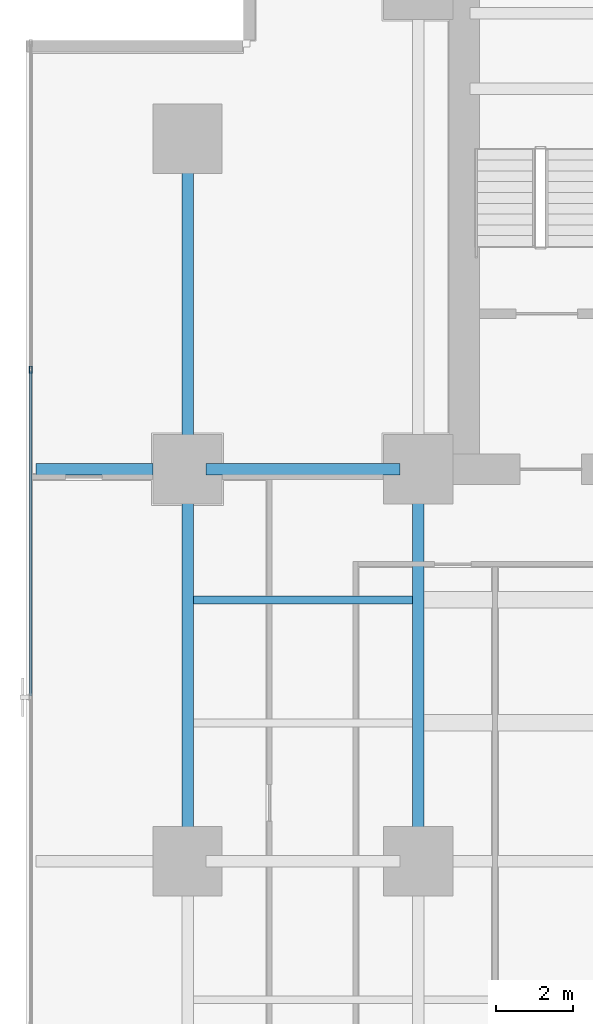
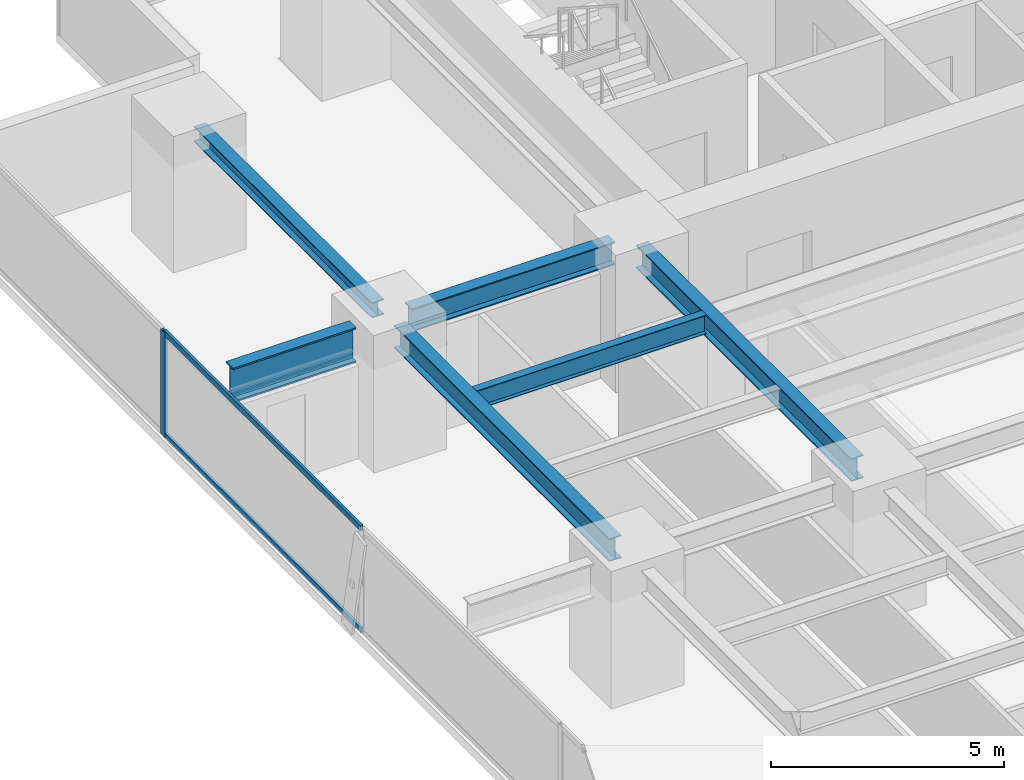
# One storey, part 16 of 34: 6 beams, 3 members, 1 element without a shape of its own.
"""IFC4 building model written with IfcOpenShell, lengths in metres."""

from ifc_helpers import new_model, si_unit, direction, frame, origin, origin_2d, place, context, subcontext, project, spatial, hollow_rectangle, i_section, extrude, source, transform, mapped, material, layer, layer_set, material_profile, profile_set, type_object, element, aggregate, save


model = new_model("IFC4")

# Units and contexts
model_context = context("Model", 3, precision=1e-05, world=origin(), true_north=direction((0.0, 1.0)))
body_context = subcontext(model_context, "Body", "Model", "MODEL_VIEW")
ifc_project = project(units=[si_unit("LENGTHUNIT", "METRE"), si_unit("AREAUNIT", "SQUARE_METRE"), si_unit("VOLUMEUNIT", "CUBIC_METRE"), si_unit("PLANEANGLEUNIT", "RADIAN"), si_unit("MASSUNIT", "GRAM", prefix="KILO")], contexts=[model_context])

# Site, building, storey
site_placement = place(None, origin())
site = spatial("IfcSite", under=ifc_project, at=site_placement, CompositionType="ELEMENT")
building_placement = place(site_placement, origin())
building = spatial("IfcBuilding", under=site, at=building_placement, Name="Sumidabori Civic Tower", CompositionType="ELEMENT")
storey_placement = place(building_placement, frame((0.0, 0.0, 41.60009765625)))
storey = spatial("IfcBuildingStorey", under=building, at=storey_placement, Name="L10", CompositionType="ELEMENT", Elevation=41.60009765625)

# Beams
ifc_material_1 = material(Name="Steel SN490", Category="steel")
ifc_material_profile_1 = material_profile(ifc_material_1, i_section(OverallWidth=0.300048828125, OverallDepth=0.60009765625, WebThickness=0.015380859375, FlangeThickness=0.030029296875, at=origin_2d()), Name="HE 600 B")
ifc_profile_set_1 = profile_set([ifc_material_profile_1], Name="Steel SN490")
beam_type_1 = type_object("IfcBeamType", Name="BM-GIRD-600", PredefinedType="BEAM", material=ifc_profile_set_1)
shared_shape_1 = source(origin(), body_context, "Body", "SweptSolid", [
    extrude(i_section(OverallWidth=0.300048828125, OverallDepth=0.60009765625, WebThickness=0.015380859375, FlangeThickness=0.030029296875, at=origin_2d()), origin(), (0.0, 0.0, 1.0), 5.0400390625),
])
beam_1_placement = place(storey_placement, frame((-22.320068359375, 10.199951171875, 3.059814453125), z_axis=(1.0, 0.0, 0.0), x_axis=(0.0, 1.0, 0.0)))
element("IfcBeam", 1, at=beam_1_placement, inside=storey, type_object=beam_type_1, Name="Primary Girder L10 GX-19", PredefinedType="BEAM", context=body_context, shape_type="MappedRepresentation", body=[
    mapped(shared_shape_1, transform((0.0, 0.0, 0.0), x_axis=(1.0, 0.0, 0.0), y_axis=(0.0, 1.0, 0.0), z_axis=(0.0, 0.0, 1.0), scale=1.0)),
])
shared_shape_2 = source(origin(), body_context, "Body", "SweptSolid", [
    extrude(i_section(OverallWidth=0.300048828125, OverallDepth=0.60009765625, WebThickness=0.015380859375, FlangeThickness=0.030029296875, at=origin_2d()), origin(), (0.0, 0.0, 1.0), 9.239990234375),
])
for number, where, z_axis, x_axis, name in (
    (2, (-22.800048828125, 0.47998046875, 3.059814453125), (0.0, 1.0, 0.0), (-1.0, 0.0, 0.0), "Primary Girder L10 GY-23"),
    (3, (-16.800048828125, 0.47998046875, 3.059814453125), (0.0, 1.0, 0.0), (-1.0, 0.0, 0.0), "Primary Girder L10 GY-27"),
):
    element("IfcBeam", number, at=place(storey_placement, frame(where, z_axis=z_axis, x_axis=x_axis)), inside=storey, type_object=beam_type_1, Name=name, PredefinedType="BEAM", context=body_context, shape_type="MappedRepresentation", body=[
        mapped(shared_shape_2, transform((0.0, 0.0, 0.0), x_axis=(1.0, 0.0, 0.0), y_axis=(0.0, 1.0, 0.0), z_axis=(0.0, 0.0, 1.0), scale=1.0)),
    ])
ifc_material_profile_2 = material_profile(ifc_material_1, i_section(OverallWidth=0.300048828125, OverallDepth=0.39990234375, WebThickness=0.013427734375, FlangeThickness=0.02392578125, at=origin_2d()), Name="HE 400 B")
ifc_profile_set_2 = profile_set([ifc_material_profile_2], Name="Steel SN490")
beam_type_2 = type_object("IfcBeamType", Name="BM-GIRD-400", PredefinedType="BEAM", material=ifc_profile_set_2)
shared_shape_3 = source(origin(), body_context, "Body", "SweptSolid", [
    extrude(i_section(OverallWidth=0.300048828125, OverallDepth=0.39990234375, WebThickness=0.013427734375, FlangeThickness=0.02392578125, at=origin_2d()), origin(), (0.0, 0.0, 1.0), 7.64013671875),
])
beam_2_placement = place(storey_placement, frame((-22.800048828125, 10.679931640625, 3.159912109375), z_axis=(0.0, 1.0, 0.0), x_axis=(-1.0, 0.0, 0.0)))
element("IfcBeam", 4, at=beam_2_placement, inside=storey, type_object=beam_type_2, Name="Primary Girder L10 GY-24", PredefinedType="BEAM", context=body_context, shape_type="MappedRepresentation", body=[
    mapped(shared_shape_3, transform((0.0, 0.0, 0.0), x_axis=(1.0, 0.0, 0.0), y_axis=(0.0, 1.0, 0.0), z_axis=(0.0, 0.0, 1.0), scale=1.0)),
])
ifc_material_profile_3 = material_profile(ifc_material_1, i_section(OverallWidth=0.302001953125, OverallDepth=0.909912109375, WebThickness=0.02099609375, FlangeThickness=0.0400390625, at=origin_2d()), Name="HE 900 M")
ifc_profile_set_3 = profile_set([ifc_material_profile_3], Name="Steel SN490")
beam_type_3 = type_object("IfcBeamType", Name="BM-Z1-EDGE", PredefinedType="SPANDREL", material=ifc_profile_set_3)
shared_shape_4 = source(origin(), body_context, "Body", "SweptSolid", [
    extrude(i_section(OverallWidth=0.302001953125, OverallDepth=0.909912109375, WebThickness=0.02099609375, FlangeThickness=0.0400390625, at=origin_2d()), origin(), (0.0, 0.0, 1.0), 3.050048828125),
])
beam_3_placement = place(storey_placement, frame((-26.75, 10.199951171875, 2.90478515625), z_axis=(1.0, 0.0, 0.0), x_axis=(0.0, 1.0, 0.0)))
element("IfcBeam", 5, at=beam_3_placement, inside=storey, type_object=beam_type_3, Name="Perimeter Overhang Beam L10 W-48", PredefinedType="SPANDREL", context=body_context, shape_type="MappedRepresentation", body=[
    mapped(shared_shape_4, transform((0.0, 0.0, 0.0), x_axis=(1.0, 0.0, 0.0), y_axis=(0.0, 1.0, 0.0), z_axis=(0.0, 0.0, 1.0), scale=1.0)),
])
ifc_material_profile_4 = material_profile(ifc_material_1, i_section(OverallWidth=0.199951171875, OverallDepth=0.5, WebThickness=0.01025390625, FlangeThickness=0.01611328125, at=origin_2d()), Name="IPE 500")
ifc_profile_set_4 = profile_set([ifc_material_profile_4], Name="Steel SN490")
beam_type_4 = type_object("IfcBeamType", Name="BM-JST-500", PredefinedType="JOIST", material=ifc_profile_set_4)
shared_shape_5 = source(origin(), body_context, "Body", "SweptSolid", [
    extrude(i_section(OverallWidth=0.199951171875, OverallDepth=0.5, WebThickness=0.01025390625, FlangeThickness=0.01611328125, at=origin_2d()), origin(), (0.0, 0.0, 1.0), 5.699951171875),
])
beam_4_placement = place(storey_placement, frame((-22.64990234375, 6.800048828125, 3.10986328125), z_axis=(1.0, 0.0, 0.0), x_axis=(0.0, 1.0, 0.0)))
element("IfcBeam", 6, at=beam_4_placement, inside=storey, type_object=beam_type_4, Name="Outer Bay Floor Joist L10 JSTO-55", PredefinedType="JOIST", context=body_context, shape_type="MappedRepresentation", body=[
    mapped(shared_shape_5, transform((0.0, 0.0, 0.0), x_axis=(1.0, 0.0, 0.0), y_axis=(0.0, 1.0, 0.0), z_axis=(0.0, 0.0, 1.0), scale=1.0)),
])

# Curtain wall, members
ifc_material_2 = material(Name="Anodised Bronze Aluminium AW-6063-T6", Category="aluminium")
ifc_layer = layer(ifc_material_2, 0.179931640625, Name="Anodised Bronze Aluminium AW-6063-T6")
ifc_layer_set = layer_set([ifc_layer], Name="Anodised Bronze Aluminium AW-6063-T6")
curtain_wall_type = type_object("IfcCurtainWallType", Name="CW-SYS-2", PredefinedType="NOTDEFINED", material=ifc_layer_set)
curtain_wall_placement = place(storey_placement, origin())
curtain_wall = element("IfcCurtainWall", 7, at=curtain_wall_placement, inside=storey, type_object=curtain_wall_type, Name="Curtain Wall CW:L10:R10", PredefinedType="NOTDEFINED")
ifc_material_profile_5 = material_profile(ifc_material_2, hollow_rectangle(XDim=0.070068359375, YDim=0.179931640625, WallThickness=0.006103515625, at=origin_2d()), Name="ALU MULLION 180x70")
ifc_profile_set_5 = profile_set([ifc_material_profile_5], Name="Anodised Bronze Aluminium AW-6063-T6")
member_type_1 = type_object("IfcMemberType", Name="CW-MUL-180", PredefinedType="MULLION", material=ifc_profile_set_5)
shared_shape_6 = source(origin(), body_context, "Body", "SweptSolid", [
    extrude(hollow_rectangle(XDim=0.070068359375, YDim=0.179931640625, WallThickness=0.006103515625, at=origin_2d()), origin(), (0.0, 0.0, 1.0), 2.739990234375),
])
member_1_placement = place(storey_placement, frame((-26.8798828125, 12.7919921875, 0.0), z_axis=(0.0, 0.0, 1.0), x_axis=(1.0, 0.0, 0.0)))
member_1 = element("IfcMember", 8, at=member_1_placement, type_object=member_type_1, Name="CW-2 mullion 2", PredefinedType="MULLION", context=body_context, shape_type="MappedRepresentation", body=[
    mapped(shared_shape_6, transform((0.0, 0.0, 0.0), x_axis=(1.0, 0.0, 0.0), y_axis=(0.0, 1.0, 0.0), z_axis=(0.0, 0.0, 1.0), scale=1.0)),
])
ifc_material_profile_6 = material_profile(ifc_material_2, hollow_rectangle(XDim=0.06494140625, YDim=0.14990234375, WallThickness=0.0048828125, at=origin_2d()), Name="ALU TRANSOM 150x65")
ifc_profile_set_6 = profile_set([ifc_material_profile_6], Name="Anodised Bronze Aluminium AW-6063-T6")
member_type_2 = type_object("IfcMemberType", Name="CW-TRN-150", PredefinedType="USERDEFINED", material=ifc_profile_set_6)
shared_shape_7 = source(origin(), body_context, "Body", "SweptSolid", [
    extrude(hollow_rectangle(XDim=0.06494140625, YDim=0.14990234375, WallThickness=0.0048828125, at=origin_2d()), origin(), (0.0, 0.0, 1.0), 8.4580078125),
])
member_2_placement = place(storey_placement, frame((-26.8798828125, 12.757080078125, 0.032470703125), z_axis=(0.0, -1.0, 0.0), x_axis=(1.0, 0.0, 0.0)))
member_2 = element("IfcMember", 9, at=member_2_placement, type_object=member_type_2, Name="CW-2 transom 2.1", ObjectType="TRANSOM", PredefinedType="USERDEFINED", context=body_context, shape_type="MappedRepresentation", body=[
    mapped(shared_shape_7, transform((0.0, 0.0, 0.0), x_axis=(1.0, 0.0, 0.0), y_axis=(0.0, 1.0, 0.0), z_axis=(0.0, 0.0, 1.0), scale=1.0)),
])
member_3_placement = place(storey_placement, frame((-26.8798828125, 12.757080078125, 2.70751953125), z_axis=(0.0, -1.0, 0.0), x_axis=(1.0, 0.0, 0.0)))
member_3 = element("IfcMember", 10, at=member_3_placement, type_object=member_type_2, Name="CW-2 transom 2.2", ObjectType="TRANSOM", PredefinedType="USERDEFINED", context=body_context, shape_type="MappedRepresentation", body=[
    mapped(shared_shape_7, transform((0.0, 0.0, 0.0), x_axis=(1.0, 0.0, 0.0), y_axis=(0.0, 1.0, 0.0), z_axis=(0.0, 0.0, 1.0), scale=1.0)),
])
aggregate(curtain_wall, [member_1, member_2, member_3])

save(model, "model.ifc")
